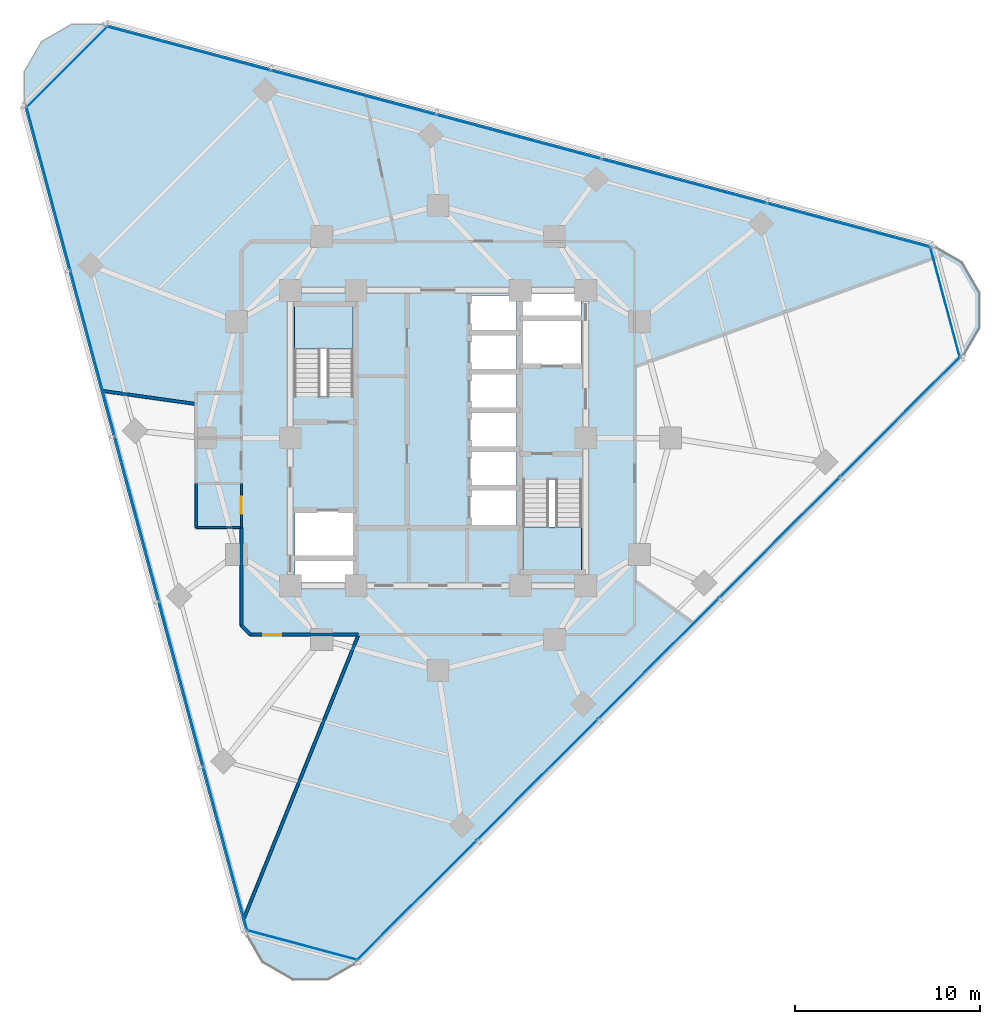
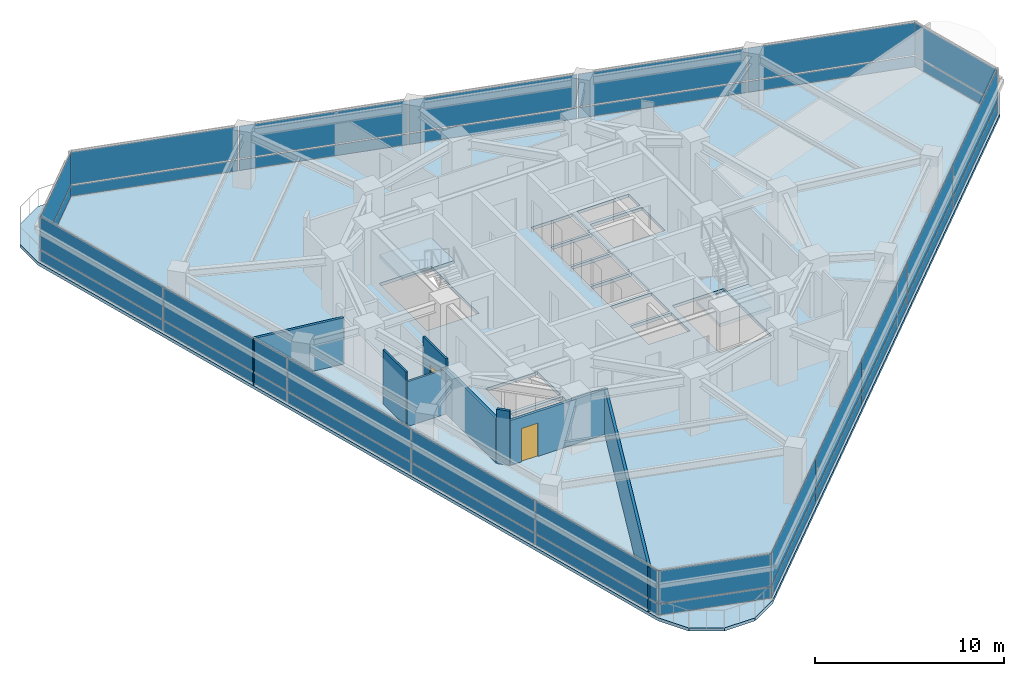
# One storey, part 6 of 13: 36 plates, 8 walls, 3 slabs, 2 doors, 2 openings, 8 elements without a shape of their own.
"""IFC4 building model written with IfcOpenShell, lengths in metres."""

from ifc_helpers import new_model, si_unit, direction, frame, frame_2d, origin, origin_2d, place, context, subcontext, project, spatial, polyline, rectangle, outline, extrude, material, layer, layer_set, type_object, element, fill, aggregate, save


model = new_model("IFC4")

# Units and contexts
model_context = context("Model", 3, precision=1e-05, world=origin(), true_north=direction((0.0, 1.0)))
body_context = subcontext(model_context, "Body", "Model", "MODEL_VIEW")
ifc_project = project(units=[si_unit("LENGTHUNIT", "METRE"), si_unit("AREAUNIT", "SQUARE_METRE"), si_unit("VOLUMEUNIT", "CUBIC_METRE"), si_unit("PLANEANGLEUNIT", "RADIAN"), si_unit("MASSUNIT", "GRAM", prefix="KILO")], contexts=[model_context])

# Site, building, storey
site_placement = place(None, origin())
site = spatial("IfcSite", under=ifc_project, at=site_placement, CompositionType="ELEMENT")
building_placement = place(site_placement, origin())
building = spatial("IfcBuilding", under=site, at=building_placement, Name="Terralouvre Media Tower", CompositionType="ELEMENT")
storey_placement = place(building_placement, frame((0.0, 0.0, 199.0)))
storey = spatial("IfcBuildingStorey", under=building, at=storey_placement, Name="L51", CompositionType="ELEMENT", Elevation=199.0)

# Slab
ifc_material_1 = material(Name="Concrete C40/50", Category="concrete")
ifc_layer_1 = layer(ifc_material_1, 0.199951171875, Name="Composite Tower Floor Slab S-TYP200")
ifc_layer_set_1 = layer_set([ifc_layer_1], Name="Concrete C40/50")
slab_type_1 = type_object("IfcSlabType", Name="Composite Tower Floor Slab S-TYP200", PredefinedType="FLOOR", material=ifc_layer_set_1)
slab_1_placement = place(storey_placement, frame((0.0, 0.0, -0.199951171875), z_axis=(0.0, 0.0, 1.0), x_axis=(0.707106781187, 0.707106781187, 0.0)))
element("IfcSlab", 1, at=slab_1_placement, inside=storey, type_object=slab_type_1, Name="L51 Structural Floor Slab", PredefinedType="FLOOR", context=body_context, shape_type="SweptSolid", body=[
    extrude(outline(polyline([(-26.31494140625, -11.572998046875), (-26.800048828125, -13.383056640625), (-26.31494140625, -15.19287109375), (-24.989990234375, -16.51806640625), (-23.179931640625, -17.0029296875), (23.179931640625, -17.0029296875), (24.989990234375, -16.51806640625), (26.31494140625, -15.19287109375), (26.800048828125, -13.383056640625), (26.31494140625, -11.572998046875), (3.135009765625, 28.575927734375), (1.81005859375, 29.90087890625), (0.0, 30.385986328125), (-1.81005859375, 29.90087890625), (-3.135009765625, 28.575927734375), (-26.31494140625, -11.572998046875)]), holes=[polyline([(-7.919677734375, -1.414306640625), (-8.76806640625, -2.2626953125), (-10.99560546875, -0.035400390625), (-10.14697265625, 0.813232421875), (-7.919677734375, -1.414306640625)]), polyline([(-7.778076171875, -1.272705078125), (-10.005615234375, 0.95458984375), (-8.273193359375, 2.68701171875), (-6.045654296875, 0.459716796875), (-7.778076171875, -1.272705078125)]), polyline([(4.122314453125, -1.887939453125), (2.354736328125, -0.1201171875), (3.7265625, 1.25146484375), (5.494140625, -0.51611328125), (4.122314453125, -1.887939453125)]), polyline([(6.979248046875, 0.96875), (5.607421875, -0.403076171875), (3.839599609375, 1.36474609375), (5.21142578125, 2.736572265625), (6.979248046875, 0.96875)]), polyline([(-1.665283203125, 4.840087890625), (-3.913818359375, 7.0888671875), (-0.36767578125, 10.634765625), (1.880859375, 8.38623046875), (-1.665283203125, 4.840087890625)]), polyline([(7.09228515625, 1.081787109375), (5.324462890625, 2.849609375), (6.6962890625, 4.221435546875), (8.464111328125, 2.45361328125), (7.09228515625, 1.081787109375)]), polyline([(-1.880859375, -8.38623046875), (1.665283203125, -4.840087890625), (3.913818359375, -7.0888671875), (0.36767578125, -10.634765625), (-1.880859375, -8.38623046875)]), polyline([(-0.332275390625, -6.3427734375), (-2.10009765625, -4.574951171875), (-0.728271484375, -3.203125), (1.03955078125, -4.970947265625), (-0.332275390625, -6.3427734375)]), polyline([(1.152587890625, -4.85791015625), (-0.615234375, -3.090087890625), (0.756591796875, -1.71826171875), (2.5244140625, -3.486083984375), (1.152587890625, -4.85791015625)]), polyline([(4.00927734375, -2.001220703125), (2.637451171875, -3.372802734375), (0.86962890625, -1.605224609375), (2.241455078125, -0.2333984375), (4.00927734375, -2.001220703125)]), polyline([(8.273193359375, -2.68701171875), (6.045654296875, -0.459716796875), (7.778076171875, 1.272705078125), (10.005615234375, -0.95458984375), (8.273193359375, -2.68701171875)]), polyline([(10.14697265625, -0.813232421875), (7.919677734375, 1.414306640625), (8.76806640625, 2.2626953125), (10.99560546875, 0.035400390625), (10.14697265625, -0.813232421875)])]), origin(), (0.0, 0.0, 1.0), 0.199951171875),
])

# Stair, slab
ifc_material_2 = material(Name="Concrete C45/55", Category="concrete")
stair_type_1 = type_object("IfcStairType", Name="Dogleg Stair Assembly ST-01", PredefinedType="HALF_TURN_STAIR", material=ifc_material_2)
stair_1_placement = place(storey_placement, origin())
stair_1 = element("IfcStair", 2, at=stair_1_placement, inside=storey, type_object=stair_type_1, Name="L51 Core Pressurised Exit Stair ST-01", PredefinedType="HALF_TURN_STAIR")
ifc_material_3 = material(Name="Concrete C45/55", Category="concrete")
ifc_layer_2 = layer(ifc_material_3, 0.199951171875, Name="Reinforced Concrete Stair Half-Landing SL-LD1")
ifc_layer_set_2 = layer_set([ifc_layer_2], Name="Concrete C45/55")
slab_type_2 = type_object("IfcSlabType", Name="Reinforced Concrete Stair Half-Landing SL-LD1", PredefinedType="LANDING", material=ifc_layer_set_2)
slab_2_placement = place(storey_placement, frame((0.0, 0.0, 1.64990234375)))
slab_2 = element("IfcSlab", 3, at=slab_2_placement, type_object=slab_type_2, Name="ST-01 landing 1", PredefinedType="LANDING", context=body_context, shape_type="SweptSolid", body=[
    extrude(outline(polyline([(-4.60009765625, 4.820068359375), (-4.60009765625, 7.260009765625), (-7.780029296875, 7.260009765625), (-7.780029296875, 4.820068359375), (-4.60009765625, 4.820068359375)])), origin(), (0.0, 0.0, 1.0), 0.2001953125),
])
aggregate(stair_1, [slab_2])

ifc_material_4 = material(Name="Concrete C45/55", Category="concrete")
stair_type_2 = type_object("IfcStairType", Name="Dogleg Stair Assembly ST-02", PredefinedType="HALF_TURN_STAIR", material=ifc_material_4)
stair_2_placement = place(storey_placement, origin())
stair_2 = element("IfcStair", 4, at=stair_2_placement, inside=storey, type_object=stair_type_2, Name="L51 Core Pressurised Exit Stair ST-02", PredefinedType="HALF_TURN_STAIR")
slab_3_placement = place(storey_placement, frame((0.0, 0.0, 1.64990234375)))
slab_3 = element("IfcSlab", 5, at=slab_3_placement, type_object=slab_type_2, Name="ST-02 landing 1", PredefinedType="LANDING", context=body_context, shape_type="SweptSolid", body=[
    extrude(outline(polyline([(4.60009765625, -4.820068359375), (4.60009765625, -7.260009765625), (7.780029296875, -7.260009765625), (7.780029296875, -4.820068359375), (4.60009765625, -4.820068359375)])), origin(), (0.0, 0.0, 1.0), 0.2001953125),
])
aggregate(stair_2, [slab_3])

# Curtain wall, plates
ifc_material_5 = material(Name="Low-iron laminated double glazing with solar-control coating", Category="glass")
ifc_layer_3 = layer(ifc_material_5, 0.1650390625, Name="Rounded Wind-Corner Curved Glazing CW-04")
ifc_layer_set_3 = layer_set([ifc_layer_3], Name="Low-iron laminated double glazing with solar-control coating")
curtain_wall_type_1 = type_object("IfcCurtainWallType", Name="Rounded Wind-Corner Curved Glazing CW-04", PredefinedType="NOTDEFINED", material=ifc_layer_set_3)
curtain_wall_1_placement = place(storey_placement, origin())
curtain_wall_1 = element("IfcCurtainWall", 6, at=curtain_wall_1_placement, inside=storey, type_object=curtain_wall_type_1, Name="L51 Rounded Wind-Corner Curtain Wall C0", PredefinedType="NOTDEFINED")
ifc_material_6 = material(Name="Low-iron laminated double glazing with solar-control coating", Category="glass")
ifc_layer_4 = layer(ifc_material_6, 0.0400390625, Name="Rounded Corner Laminated Vision Panel CWP-03")
ifc_layer_set_4 = layer_set([ifc_layer_4], Name="Low-iron laminated double glazing with solar-control coating")
plate_type_1 = type_object("IfcPlateType", Name="Rounded Corner Laminated Vision Panel CWP-03", PredefinedType="CURTAIN_PANEL", material=ifc_layer_set_4)
plate_1_placement = place(storey_placement, frame((-7.35986328125, -27.467041015625, 0.074951171875), z_axis=(0.0, 0.0, 1.0), x_axis=(0.965925911218, -0.258818728144, 0.0)))
plate_1 = element("IfcPlate", 7, at=plate_1_placement, type_object=plate_type_1, Name="CW-04 panel 1.1", PredefinedType="CURTAIN_PANEL", context=body_context, shape_type="SweptSolid", body=[
    extrude(rectangle(XDim=6.1201171875, YDim=0.035888671875, at=origin_2d()), origin(), (0.0, 0.0, 1.0), 0.6875),
])
plate_2_placement = place(storey_placement, frame((-7.35986328125, -27.467041015625, 0.837646484375), z_axis=(0.0, 0.0, 1.0), x_axis=(0.965925911218, -0.258818728144, 0.0)))
plate_2 = element("IfcPlate", 8, at=plate_2_placement, type_object=plate_type_1, Name="CW-04 panel 1.2", PredefinedType="CURTAIN_PANEL", context=body_context, shape_type="SweptSolid", body=[
    extrude(rectangle(XDim=6.1201171875, YDim=0.035888671875, at=origin_2d()), origin(), (0.0, 0.0, 1.0), 2.08740234375),
])
aggregate(curtain_wall_1, [plate_1, plate_2])

curtain_wall_2_placement = place(storey_placement, origin())
curtain_wall_2 = element("IfcCurtainWall", 9, at=curtain_wall_2_placement, inside=storey, type_object=curtain_wall_type_1, Name="L51 Rounded Wind-Corner Curtain Wall C1", PredefinedType="NOTDEFINED")
plate_3_placement = place(storey_placement, frame((27.467041015625, 7.35986328125, 0.074951171875), z_axis=(0.0, 0.0, 1.0), x_axis=(-0.258818728144, 0.965925911218, 0.0)))
plate_3 = element("IfcPlate", 10, at=plate_3_placement, type_object=plate_type_1, Name="CW-04 panel 1.1", PredefinedType="CURTAIN_PANEL", context=body_context, shape_type="SweptSolid", body=[
    extrude(rectangle(XDim=6.1201171875, YDim=0.035888671875, at=origin_2d()), origin(), (0.0, 0.0, 1.0), 0.6875),
])
plate_4_placement = place(storey_placement, frame((27.467041015625, 7.35986328125, 0.837646484375), z_axis=(0.0, 0.0, 1.0), x_axis=(-0.258818728144, 0.965925911218, 0.0)))
plate_4 = element("IfcPlate", 11, at=plate_4_placement, type_object=plate_type_1, Name="CW-04 panel 1.2", PredefinedType="CURTAIN_PANEL", context=body_context, shape_type="SweptSolid", body=[
    extrude(rectangle(XDim=6.1201171875, YDim=0.035888671875, at=origin_2d()), origin(), (0.0, 0.0, 1.0), 2.08740234375),
])
aggregate(curtain_wall_2, [plate_3, plate_4])

curtain_wall_3_placement = place(storey_placement, origin())
curtain_wall_3 = element("IfcCurtainWall", 12, at=curtain_wall_3_placement, inside=storey, type_object=curtain_wall_type_1, Name="L51 Rounded Wind-Corner Curtain Wall C2", PredefinedType="NOTDEFINED")
plate_5_placement = place(storey_placement, frame((-20.107177734375, 20.107177734375, 0.074951171875), z_axis=(0.0, 0.0, 1.0), x_axis=(-0.707106781187, -0.707106781187, 0.0)))
plate_5 = element("IfcPlate", 13, at=plate_5_placement, type_object=plate_type_1, Name="CW-04 panel 1.1", PredefinedType="CURTAIN_PANEL", context=body_context, shape_type="SweptSolid", body=[
    extrude(rectangle(XDim=6.1201171875, YDim=0.035888671875, at=origin_2d()), origin(), (0.0, 0.0, 1.0), 0.6875),
])
plate_6_placement = place(storey_placement, frame((-20.107177734375, 20.107177734375, 0.837646484375), z_axis=(0.0, 0.0, 1.0), x_axis=(-0.707106781187, -0.707106781187, 0.0)))
plate_6 = element("IfcPlate", 14, at=plate_6_placement, type_object=plate_type_1, Name="CW-04 panel 1.2", PredefinedType="CURTAIN_PANEL", context=body_context, shape_type="SweptSolid", body=[
    extrude(rectangle(XDim=6.1201171875, YDim=0.035888671875, at=origin_2d()), origin(), (0.0, 0.0, 1.0), 2.08740234375),
])
aggregate(curtain_wall_3, [plate_5, plate_6])

ifc_material_7 = material(Name="Low-iron laminated double glazing with solar-control coating", Category="glass")
ifc_layer_5 = layer(ifc_material_7, 0.1650390625, Name="Production Studio Tower Curtain Wall CW-03")
ifc_layer_set_5 = layer_set([ifc_layer_5], Name="Low-iron laminated double glazing with solar-control coating")
curtain_wall_type_2 = type_object("IfcCurtainWallType", Name="Production Studio Tower Curtain Wall CW-03", PredefinedType="NOTDEFINED", material=ifc_layer_set_5)
curtain_wall_4_placement = place(storey_placement, origin())
curtain_wall_4 = element("IfcCurtainWall", 15, at=curtain_wall_4_placement, inside=storey, type_object=curtain_wall_type_2, Name="L51 Facade Curtain Wall F0", PredefinedType="NOTDEFINED")
ifc_material_8 = material(Name="Low-iron laminated double glazing with solar-control coating", Category="glass")
ifc_layer_6 = layer(ifc_material_8, 0.035888671875, Name="Vision Double-Glazed Unit CWP-01")
ifc_layer_set_6 = layer_set([ifc_layer_6], Name="Low-iron laminated double glazing with solar-control coating")
plate_type_2 = type_object("IfcPlateType", Name="Vision Double-Glazed Unit CWP-01", PredefinedType="CURTAIN_PANEL", material=ifc_layer_set_6)
plate_7_placement = place(storey_placement, frame((-1.161376953125, -25.037353515625, 0.074951171875), z_axis=(0.0, 0.0, 1.0), x_axis=(0.707106781187, 0.707106781187, 0.0)))
plate_7 = element("IfcPlate", 16, at=plate_7_placement, type_object=plate_type_2, Name="CW-03 panel 1.1", PredefinedType="CURTAIN_PANEL", context=body_context, shape_type="SweptSolid", body=[
    extrude(rectangle(XDim=9.159423828125, YDim=0.035888671875, at=origin_2d()), origin(), (0.0, 0.0, 1.0), 0.6875),
])
plate_8_placement = place(storey_placement, frame((-1.161376953125, -25.037353515625, 0.837646484375), z_axis=(0.0, 0.0, 1.0), x_axis=(0.707106781187, 0.707106781187, 0.0)))
plate_8 = element("IfcPlate", 17, at=plate_8_placement, type_object=plate_type_2, Name="CW-03 panel 1.2", PredefinedType="CURTAIN_PANEL", context=body_context, shape_type="SweptSolid", body=[
    extrude(rectangle(XDim=9.159423828125, YDim=0.035888671875, at=origin_2d()), origin(), (0.0, 0.0, 1.0), 2.08740234375),
])
plate_9_placement = place(storey_placement, frame((5.3818359375, -18.494384765625, 0.074951171875), z_axis=(0.0, 0.0, 1.0), x_axis=(0.707106781187, 0.707106781187, 0.0)))
plate_9 = element("IfcPlate", 18, at=plate_9_placement, type_object=plate_type_2, Name="CW-03 panel 2.1", PredefinedType="CURTAIN_PANEL", context=body_context, shape_type="SweptSolid", body=[
    extrude(rectangle(XDim=9.197021484375, YDim=0.035888671875, at=origin_2d()), origin(), (0.0, 0.0, 1.0), 0.6875),
])
plate_10_placement = place(storey_placement, frame((5.3818359375, -18.494384765625, 0.837646484375), z_axis=(0.0, 0.0, 1.0), x_axis=(0.707106781187, 0.707106781187, 0.0)))
plate_10 = element("IfcPlate", 19, at=plate_10_placement, type_object=plate_type_2, Name="CW-03 panel 2.2", PredefinedType="CURTAIN_PANEL", context=body_context, shape_type="SweptSolid", body=[
    extrude(rectangle(XDim=9.197021484375, YDim=0.035888671875, at=origin_2d()), origin(), (0.0, 0.0, 1.0), 2.08740234375),
])
plate_11_placement = place(storey_placement, frame((11.93798828125, -11.93798828125, 0.074951171875), z_axis=(0.0, 0.0, 1.0), x_axis=(0.707106781187, 0.707106781187, 0.0)))
plate_11 = element("IfcPlate", 20, at=plate_11_placement, type_object=plate_type_2, Name="CW-03 panel 3.1", PredefinedType="CURTAIN_PANEL", context=body_context, shape_type="SweptSolid", body=[
    extrude(rectangle(XDim=9.197021484375, YDim=0.035888671875, at=origin_2d()), origin(), (0.0, 0.0, 1.0), 0.6875),
])
plate_12_placement = place(storey_placement, frame((11.93798828125, -11.93798828125, 0.837646484375), z_axis=(0.0, 0.0, 1.0), x_axis=(0.707106781187, 0.707106781187, 0.0)))
plate_12 = element("IfcPlate", 21, at=plate_12_placement, type_object=plate_type_2, Name="CW-03 panel 3.2", PredefinedType="CURTAIN_PANEL", context=body_context, shape_type="SweptSolid", body=[
    extrude(rectangle(XDim=9.197021484375, YDim=0.035888671875, at=origin_2d()), origin(), (0.0, 0.0, 1.0), 2.08740234375),
])
plate_13_placement = place(storey_placement, frame((18.494384765625, -5.3818359375, 0.074951171875), z_axis=(0.0, 0.0, 1.0), x_axis=(0.707106781187, 0.707106781187, 0.0)))
plate_13 = element("IfcPlate", 22, at=plate_13_placement, type_object=plate_type_2, Name="CW-03 panel 4.1", PredefinedType="CURTAIN_PANEL", context=body_context, shape_type="SweptSolid", body=[
    extrude(rectangle(XDim=9.197021484375, YDim=0.035888671875, at=origin_2d()), origin(), (0.0, 0.0, 1.0), 0.6875),
])
plate_14_placement = place(storey_placement, frame((18.494384765625, -5.3818359375, 0.837646484375), z_axis=(0.0, 0.0, 1.0), x_axis=(0.707106781187, 0.707106781187, 0.0)))
plate_14 = element("IfcPlate", 23, at=plate_14_placement, type_object=plate_type_2, Name="CW-03 panel 4.2", PredefinedType="CURTAIN_PANEL", context=body_context, shape_type="SweptSolid", body=[
    extrude(rectangle(XDim=9.197021484375, YDim=0.035888671875, at=origin_2d()), origin(), (0.0, 0.0, 1.0), 2.08740234375),
])
plate_15_placement = place(storey_placement, frame((25.037353515625, 1.161376953125, 0.074951171875), z_axis=(0.0, 0.0, 1.0), x_axis=(0.707106781187, 0.707106781187, 0.0)))
plate_15 = element("IfcPlate", 24, at=plate_15_placement, type_object=plate_type_2, Name="CW-03 panel 5.1", PredefinedType="CURTAIN_PANEL", context=body_context, shape_type="SweptSolid", body=[
    extrude(rectangle(XDim=9.159423828125, YDim=0.035888671875, at=origin_2d()), origin(), (0.0, 0.0, 1.0), 0.6875),
])
plate_16_placement = place(storey_placement, frame((25.037353515625, 1.161376953125, 0.837646484375), z_axis=(0.0, 0.0, 1.0), x_axis=(0.707106781187, 0.707106781187, 0.0)))
plate_16 = element("IfcPlate", 25, at=plate_16_placement, type_object=plate_type_2, Name="CW-03 panel 5.2", PredefinedType="CURTAIN_PANEL", context=body_context, shape_type="SweptSolid", body=[
    extrude(rectangle(XDim=9.159423828125, YDim=0.035888671875, at=origin_2d()), origin(), (0.0, 0.0, 1.0), 2.08740234375),
])
aggregate(curtain_wall_4, [plate_7, plate_8, plate_9, plate_10, plate_11, plate_12, plate_13, plate_14, plate_15, plate_16])

curtain_wall_5_placement = place(storey_placement, origin())
curtain_wall_5 = element("IfcCurtainWall", 26, at=curtain_wall_5_placement, inside=storey, type_object=curtain_wall_type_2, Name="L51 Facade Curtain Wall F1", PredefinedType="NOTDEFINED")
plate_17_placement = place(storey_placement, frame((22.263671875, 11.512939453125, 0.074951171875), z_axis=(0.0, 0.0, 1.0), x_axis=(-0.96592582942, 0.25881903342, 0.0)))
plate_17 = element("IfcPlate", 27, at=plate_17_placement, type_object=plate_type_2, Name="CW-03 panel 1.1", PredefinedType="CURTAIN_PANEL", context=body_context, shape_type="SweptSolid", body=[
    extrude(rectangle(XDim=9.159423828125, YDim=0.035888671875, at=origin_2d()), origin(), (0.0, 0.0, 1.0), 0.6875),
])
plate_18_placement = place(storey_placement, frame((22.263671875, 11.512939453125, 0.837646484375), z_axis=(0.0, 0.0, 1.0), x_axis=(-0.96592582942, 0.25881903342, 0.0)))
plate_18 = element("IfcPlate", 28, at=plate_18_placement, type_object=plate_type_2, Name="CW-03 panel 1.2", PredefinedType="CURTAIN_PANEL", context=body_context, shape_type="SweptSolid", body=[
    extrude(rectangle(XDim=9.159423828125, YDim=0.035888671875, at=origin_2d()), origin(), (0.0, 0.0, 1.0), 2.08740234375),
])
plate_19_placement = place(storey_placement, frame((13.32568359375, 13.907958984375, 0.074951171875), z_axis=(0.0, 0.0, 1.0), x_axis=(-0.96592582942, 0.25881903342, 0.0)))
plate_19 = element("IfcPlate", 29, at=plate_19_placement, type_object=plate_type_2, Name="CW-03 panel 2.1", PredefinedType="CURTAIN_PANEL", context=body_context, shape_type="SweptSolid", body=[
    extrude(rectangle(XDim=9.197021484375, YDim=0.035888671875, at=origin_2d()), origin(), (0.0, 0.0, 1.0), 0.6875),
])
plate_20_placement = place(storey_placement, frame((13.32568359375, 13.907958984375, 0.837646484375), z_axis=(0.0, 0.0, 1.0), x_axis=(-0.96592582942, 0.25881903342, 0.0)))
plate_20 = element("IfcPlate", 30, at=plate_20_placement, type_object=plate_type_2, Name="CW-03 panel 2.2", PredefinedType="CURTAIN_PANEL", context=body_context, shape_type="SweptSolid", body=[
    extrude(rectangle(XDim=9.197021484375, YDim=0.035888671875, at=origin_2d()), origin(), (0.0, 0.0, 1.0), 2.08740234375),
])
plate_21_placement = place(storey_placement, frame((4.36962890625, 16.3076171875, 0.074951171875), z_axis=(0.0, 0.0, 1.0), x_axis=(-0.96592582942, 0.25881903342, 0.0)))
plate_21 = element("IfcPlate", 31, at=plate_21_placement, type_object=plate_type_2, Name="CW-03 panel 3.1", PredefinedType="CURTAIN_PANEL", context=body_context, shape_type="SweptSolid", body=[
    extrude(rectangle(XDim=9.197021484375, YDim=0.035888671875, at=origin_2d()), origin(), (0.0, 0.0, 1.0), 0.6875),
])
plate_22_placement = place(storey_placement, frame((4.36962890625, 16.3076171875, 0.837646484375), z_axis=(0.0, 0.0, 1.0), x_axis=(-0.96592582942, 0.25881903342, 0.0)))
plate_22 = element("IfcPlate", 32, at=plate_22_placement, type_object=plate_type_2, Name="CW-03 panel 3.2", PredefinedType="CURTAIN_PANEL", context=body_context, shape_type="SweptSolid", body=[
    extrude(rectangle(XDim=9.197021484375, YDim=0.035888671875, at=origin_2d()), origin(), (0.0, 0.0, 1.0), 2.08740234375),
])
plate_23_placement = place(storey_placement, frame((-4.58642578125, 18.70751953125, 0.074951171875), z_axis=(0.0, 0.0, 1.0), x_axis=(-0.96592582942, 0.25881903342, 0.0)))
plate_23 = element("IfcPlate", 33, at=plate_23_placement, type_object=plate_type_2, Name="CW-03 panel 4.1", PredefinedType="CURTAIN_PANEL", context=body_context, shape_type="SweptSolid", body=[
    extrude(rectangle(XDim=9.197021484375, YDim=0.035888671875, at=origin_2d()), origin(), (0.0, 0.0, 1.0), 0.6875),
])
plate_24_placement = place(storey_placement, frame((-4.58642578125, 18.70751953125, 0.837646484375), z_axis=(0.0, 0.0, 1.0), x_axis=(-0.96592582942, 0.25881903342, 0.0)))
plate_24 = element("IfcPlate", 34, at=plate_24_placement, type_object=plate_type_2, Name="CW-03 panel 4.2", PredefinedType="CURTAIN_PANEL", context=body_context, shape_type="SweptSolid", body=[
    extrude(rectangle(XDim=9.197021484375, YDim=0.035888671875, at=origin_2d()), origin(), (0.0, 0.0, 1.0), 2.08740234375),
])
plate_25_placement = place(storey_placement, frame((-13.5244140625, 21.102294921875, 0.074951171875), z_axis=(0.0, 0.0, 1.0), x_axis=(-0.96592582942, 0.25881903342, 0.0)))
plate_25 = element("IfcPlate", 35, at=plate_25_placement, type_object=plate_type_2, Name="CW-03 panel 5.1", PredefinedType="CURTAIN_PANEL", context=body_context, shape_type="SweptSolid", body=[
    extrude(rectangle(XDim=9.159423828125, YDim=0.035888671875, at=origin_2d()), origin(), (0.0, 0.0, 1.0), 0.6875),
])
plate_26_placement = place(storey_placement, frame((-13.5244140625, 21.102294921875, 0.837646484375), z_axis=(0.0, 0.0, 1.0), x_axis=(-0.96592582942, 0.25881903342, 0.0)))
plate_26 = element("IfcPlate", 36, at=plate_26_placement, type_object=plate_type_2, Name="CW-03 panel 5.2", PredefinedType="CURTAIN_PANEL", context=body_context, shape_type="SweptSolid", body=[
    extrude(rectangle(XDim=9.159423828125, YDim=0.035888671875, at=origin_2d()), origin(), (0.0, 0.0, 1.0), 2.08740234375),
])
aggregate(curtain_wall_5, [plate_17, plate_18, plate_19, plate_20, plate_21, plate_22, plate_23, plate_24, plate_25, plate_26])

curtain_wall_6_placement = place(storey_placement, origin())
curtain_wall_6 = element("IfcCurtainWall", 37, at=curtain_wall_6_placement, inside=storey, type_object=curtain_wall_type_2, Name="L51 Facade Curtain Wall F2", PredefinedType="NOTDEFINED")
plate_27_placement = place(storey_placement, frame((-21.102294921875, 13.5244140625, 0.074951171875), z_axis=(0.0, 0.0, 1.0), x_axis=(0.25881903342, -0.96592582942, 0.0)))
plate_27 = element("IfcPlate", 38, at=plate_27_placement, type_object=plate_type_2, Name="CW-03 panel 1.1", PredefinedType="CURTAIN_PANEL", context=body_context, shape_type="SweptSolid", body=[
    extrude(rectangle(XDim=9.159423828125, YDim=0.035888671875, at=origin_2d()), origin(), (0.0, 0.0, 1.0), 0.6875),
])
plate_28_placement = place(storey_placement, frame((-21.102294921875, 13.5244140625, 0.837646484375), z_axis=(0.0, 0.0, 1.0), x_axis=(0.25881903342, -0.96592582942, 0.0)))
plate_28 = element("IfcPlate", 39, at=plate_28_placement, type_object=plate_type_2, Name="CW-03 panel 1.2", PredefinedType="CURTAIN_PANEL", context=body_context, shape_type="SweptSolid", body=[
    extrude(rectangle(XDim=9.159423828125, YDim=0.035888671875, at=origin_2d()), origin(), (0.0, 0.0, 1.0), 2.08740234375),
])
plate_29_placement = place(storey_placement, frame((-18.70751953125, 4.58642578125, 0.074951171875), z_axis=(0.0, 0.0, 1.0), x_axis=(0.25881903342, -0.96592582942, 0.0)))
plate_29 = element("IfcPlate", 40, at=plate_29_placement, type_object=plate_type_2, Name="CW-03 panel 2.1", PredefinedType="CURTAIN_PANEL", context=body_context, shape_type="SweptSolid", body=[
    extrude(rectangle(XDim=9.197021484375, YDim=0.035888671875, at=origin_2d()), origin(), (0.0, 0.0, 1.0), 0.6875),
])
plate_30_placement = place(storey_placement, frame((-18.70751953125, 4.58642578125, 0.837646484375), z_axis=(0.0, 0.0, 1.0), x_axis=(0.25881903342, -0.96592582942, 0.0)))
plate_30 = element("IfcPlate", 41, at=plate_30_placement, type_object=plate_type_2, Name="CW-03 panel 2.2", PredefinedType="CURTAIN_PANEL", context=body_context, shape_type="SweptSolid", body=[
    extrude(rectangle(XDim=9.197021484375, YDim=0.035888671875, at=origin_2d()), origin(), (0.0, 0.0, 1.0), 2.08740234375),
])
plate_31_placement = place(storey_placement, frame((-16.3076171875, -4.36962890625, 0.074951171875), z_axis=(0.0, 0.0, 1.0), x_axis=(0.25881903342, -0.96592582942, 0.0)))
plate_31 = element("IfcPlate", 42, at=plate_31_placement, type_object=plate_type_2, Name="CW-03 panel 3.1", PredefinedType="CURTAIN_PANEL", context=body_context, shape_type="SweptSolid", body=[
    extrude(rectangle(XDim=9.197021484375, YDim=0.035888671875, at=origin_2d()), origin(), (0.0, 0.0, 1.0), 0.6875),
])
plate_32_placement = place(storey_placement, frame((-16.3076171875, -4.36962890625, 0.837646484375), z_axis=(0.0, 0.0, 1.0), x_axis=(0.25881903342, -0.96592582942, 0.0)))
plate_32 = element("IfcPlate", 43, at=plate_32_placement, type_object=plate_type_2, Name="CW-03 panel 3.2", PredefinedType="CURTAIN_PANEL", context=body_context, shape_type="SweptSolid", body=[
    extrude(rectangle(XDim=9.197021484375, YDim=0.035888671875, at=origin_2d()), origin(), (0.0, 0.0, 1.0), 2.08740234375),
])
plate_33_placement = place(storey_placement, frame((-13.907958984375, -13.32568359375, 0.074951171875), z_axis=(0.0, 0.0, 1.0), x_axis=(0.25881903342, -0.96592582942, 0.0)))
plate_33 = element("IfcPlate", 44, at=plate_33_placement, type_object=plate_type_2, Name="CW-03 panel 4.1", PredefinedType="CURTAIN_PANEL", context=body_context, shape_type="SweptSolid", body=[
    extrude(rectangle(XDim=9.197021484375, YDim=0.035888671875, at=origin_2d()), origin(), (0.0, 0.0, 1.0), 0.6875),
])
plate_34_placement = place(storey_placement, frame((-13.907958984375, -13.32568359375, 0.837646484375), z_axis=(0.0, 0.0, 1.0), x_axis=(0.25881903342, -0.96592582942, 0.0)))
plate_34 = element("IfcPlate", 45, at=plate_34_placement, type_object=plate_type_2, Name="CW-03 panel 4.2", PredefinedType="CURTAIN_PANEL", context=body_context, shape_type="SweptSolid", body=[
    extrude(rectangle(XDim=9.197021484375, YDim=0.035888671875, at=origin_2d()), origin(), (0.0, 0.0, 1.0), 2.08740234375),
])
plate_35_placement = place(storey_placement, frame((-11.512939453125, -22.263671875, 0.074951171875), z_axis=(0.0, 0.0, 1.0), x_axis=(0.25881903342, -0.96592582942, 0.0)))
plate_35 = element("IfcPlate", 46, at=plate_35_placement, type_object=plate_type_2, Name="CW-03 panel 5.1", PredefinedType="CURTAIN_PANEL", context=body_context, shape_type="SweptSolid", body=[
    extrude(rectangle(XDim=9.159423828125, YDim=0.035888671875, at=origin_2d()), origin(), (0.0, 0.0, 1.0), 0.6875),
])
plate_36_placement = place(storey_placement, frame((-11.512939453125, -22.263671875, 0.837646484375), z_axis=(0.0, 0.0, 1.0), x_axis=(0.25881903342, -0.96592582942, 0.0)))
plate_36 = element("IfcPlate", 47, at=plate_36_placement, type_object=plate_type_2, Name="CW-03 panel 5.2", PredefinedType="CURTAIN_PANEL", context=body_context, shape_type="SweptSolid", body=[
    extrude(rectangle(XDim=9.159423828125, YDim=0.035888671875, at=origin_2d()), origin(), (0.0, 0.0, 1.0), 2.08740234375),
])
aggregate(curtain_wall_6, [plate_27, plate_28, plate_29, plate_30, plate_31, plate_32, plate_33, plate_34, plate_35, plate_36])

# Wall, opening, door
ifc_material_9 = material(Name="Fire-rated gypsum board drywall partition")
ifc_layer_7 = layer(ifc_material_9, 0.114990234375, Name="Restroom and Pantry Partition PT-115")
ifc_layer_set_7 = layer_set([ifc_layer_7], Name="Fire-rated gypsum board drywall partition")
wall_type_1 = type_object("IfcWallType", Name="Restroom and Pantry Partition PT-115", PredefinedType="PARTITIONING", material=ifc_layer_set_7)
wall_1_placement = place(storey_placement, frame((-10.64990234375, -2.449951171875, 0.0), z_axis=(0.0, 0.0, 1.0), x_axis=(0.0, -1.0, 0.0)))
wall_1 = element("IfcWall", 48, at=wall_1_placement, inside=storey, type_object=wall_type_1, Name="L51 Interior Partition 002", PredefinedType="PARTITIONING", context=body_context, shape_type="SweptSolid", body=[
    extrude(rectangle(XDim=2.400146484375, YDim=0.114990234375, at=frame_2d((1.2001953125, 0.0))), origin(), (0.0, 0.0, 1.0), 3.5),
])
opening_1_placement = place(wall_1_placement, frame((0.739990234375, 0.0, 0.0)))
opening_1 = element("IfcOpeningElement", 49, at=opening_1_placement, cuts=wall_1, Name="Opening ID-03-92X210", PredefinedType="OPENING", context=body_context, shape_type="SweptSolid", body=[
    extrude(rectangle(XDim=0.919921875, YDim=2.10009765625, at=frame_2d((0.4599609375, 1.050048828125))), frame((0.0, 0.0673828125, 0.0), z_axis=(0.0, -1.0, 0.0), x_axis=(1.0, 0.0, 0.0)), (0.0, 0.0, 1.0), 0.135009765625),
])
ifc_material_10 = material(Name="Engineered hardwood acoustic timber leaf", Category="wood")
door_type_1 = type_object("IfcDoorType", Name="Accessible Restroom and Suite Door ID-03 (920x2100)", OperationType="NOTDEFINED", PredefinedType="DOOR", material=ifc_material_10)
door_1_placement = place(opening_1_placement, origin())
door_1 = element("IfcDoor", 50, at=door_1_placement, inside=storey, type_object=door_type_1, Name="L51 Male Restroom WC Door", OperationType="SINGLE_SWING_LEFT", OverallHeight=2.10009765625, OverallWidth=0.919921875, PredefinedType="DOOR", context=body_context, shape_type="SweptSolid", body=[
    extrude(rectangle(XDim=0.919921875, YDim=2.10009765625, at=frame_2d((0.4599609375, 1.050048828125))), frame((0.0, 0.02490234375, 0.0), z_axis=(0.0, -1.0, 0.0), x_axis=(1.0, 0.0, 0.0)), (0.0, 0.0, 1.0), 0.050048828125),
])
fill(opening_1, door_1)

# Walls
wall_2_placement = place(storey_placement, frame((-13.10009765625, -2.449951171875, 0.0), z_axis=(0.0, 0.0, 1.0), x_axis=(0.0, -1.0, 0.0)))
element("IfcWall", 51, at=wall_2_placement, inside=storey, type_object=wall_type_1, Name="L51 Interior Partition 020", PredefinedType="PARTITIONING", context=body_context, shape_type="SweptSolid", body=[
    extrude(rectangle(XDim=2.400146484375, YDim=0.114990234375, at=frame_2d((1.2001953125, 0.0))), origin(), (0.0, 0.0, 1.0), 3.5),
])
wall_3_placement = place(storey_placement, frame((-13.10009765625, -4.85009765625, 0.0), z_axis=(0.0, 0.0, 1.0), x_axis=(1.0, 0.0, 0.0)))
element("IfcWall", 52, at=wall_3_placement, inside=storey, type_object=wall_type_1, Name="L51 Interior Partition 021", PredefinedType="PARTITIONING", context=body_context, shape_type="SweptSolid", body=[
    extrude(rectangle(XDim=2.4501953125, YDim=0.114990234375, at=frame_2d((1.22509765625, 0.0))), origin(), (0.0, 0.0, 1.0), 2.885009765625),
])
ifc_material_11 = material(Name="Fire-rated gypsum board drywall partition")
ifc_layer_8 = layer(ifc_material_11, 0.159912109375, Name="Studio Acoustic Rated Partition PT-160")
ifc_layer_set_8 = layer_set([ifc_layer_8], Name="Fire-rated gypsum board drywall partition")
wall_type_2 = type_object("IfcWallType", Name="Studio Acoustic Rated Partition PT-160", PredefinedType="PARTITIONING", material=ifc_layer_set_8)
wall_4_placement = place(storey_placement, frame((-10.64990234375, -4.85009765625, 0.0), z_axis=(0.0, 0.0, 1.0), x_axis=(0.0, -1.0, 0.0)))
element("IfcWall", 53, at=wall_4_placement, inside=storey, type_object=wall_type_2, Name="L51 Interior Partition 003", PredefinedType="PARTITIONING", context=body_context, shape_type="SweptSolid", body=[
    extrude(rectangle(XDim=5.2998046875, YDim=0.159912109375, at=frame_2d((2.64990234375, 0.0))), origin(), (0.0, 0.0, 1.0), 2.885009765625),
])
wall_5_placement = place(storey_placement, frame((-10.64990234375, -10.14990234375, 0.0), z_axis=(0.0, 0.0, 1.0), x_axis=(0.707106781187, -0.707106781187, 0.0)))
element("IfcWall", 54, at=wall_5_placement, inside=storey, type_object=wall_type_2, Name="L51 Interior Partition 004", PredefinedType="PARTITIONING", context=body_context, shape_type="SweptSolid", body=[
    extrude(rectangle(XDim=0.70703125, YDim=0.159912109375, at=frame_2d((0.353515625, 0.0))), origin(), (0.0, 0.0, 1.0), 3.5),
])

# Wall, opening, door
wall_6_placement = place(storey_placement, frame((-10.14990234375, -10.64990234375, 0.0), z_axis=(0.0, 0.0, 1.0), x_axis=(1.0, 0.0, 0.0)))
wall_6 = element("IfcWall", 55, at=wall_6_placement, inside=storey, type_object=wall_type_2, Name="L51 Interior Partition 005", PredefinedType="PARTITIONING", context=body_context, shape_type="SweptSolid", body=[
    extrude(rectangle(XDim=5.846923828125, YDim=0.159912109375, at=frame_2d((2.92333984375, 0.0))), origin(), (0.0, 0.0, 1.0), 2.885009765625),
])
opening_2_placement = place(wall_6_placement, frame((0.66943359375, 0.0, 0.0)))
opening_2 = element("IfcOpeningElement", 56, at=opening_2_placement, cuts=wall_6, Name="Opening ID-01-100X215", PredefinedType="OPENING", context=body_context, shape_type="SweptSolid", body=[
    extrude(rectangle(XDim=1.0, YDim=2.14990234375, at=frame_2d((0.5, 1.074951171875))), frame((0.0, 0.08984375, 0.0), z_axis=(0.0, -1.0, 0.0), x_axis=(1.0, 0.0, 0.0)), (0.0, 0.0, 1.0), 0.179931640625),
])
ifc_material_12 = material(Name="Engineered hardwood acoustic timber leaf", Category="wood")
door_type_2 = type_object("IfcDoorType", Name="Broadcast Studio Acoustic Single Door ID-01 (1000x2150)", OperationType="NOTDEFINED", PredefinedType="DOOR", material=ifc_material_12)
door_2_placement = place(opening_2_placement, origin())
door_2 = element("IfcDoor", 57, at=door_2_placement, inside=storey, type_object=door_type_2, Name="L51 Simultaneous Translation Control Room 1 Door", OperationType="SINGLE_SWING_RIGHT", OverallHeight=2.14990234375, OverallWidth=1.0, PredefinedType="DOOR", context=body_context, shape_type="SweptSolid", body=[
    extrude(rectangle(XDim=1.0, YDim=2.14990234375, at=frame_2d((0.5, 1.074951171875))), frame((0.0, 0.02490234375, 0.0), z_axis=(0.0, -1.0, 0.0), x_axis=(1.0, 0.0, 0.0)), (0.0, 0.0, 1.0), 0.050048828125),
])
fill(opening_2, door_2)

# Walls
wall_7_placement = place(storey_placement, frame((-10.53369140625, -26.072509765625, 0.0), z_axis=(0.0, 0.0, 1.0), x_axis=(0.374584629334, 0.927192728329, 0.0)))
element("IfcWall", 58, at=wall_7_placement, inside=storey, type_object=wall_type_2, Name="L51 Interior Partition 022", PredefinedType="PARTITIONING", context=body_context, shape_type="SweptSolid", body=[
    extrude(rectangle(XDim=16.633544921875, YDim=0.159912109375, at=frame_2d((8.31689453125, 0.0))), origin(), (0.0, 0.0, 1.0), 2.885009765625),
])
wall_8_placement = place(storey_placement, frame((-13.10009765625, 1.841064453125, 0.0), z_axis=(0.0, 0.0, 1.0), x_axis=(-0.990254946284, 0.139266440179, 0.0)))
element("IfcWall", 59, at=wall_8_placement, inside=storey, type_object=wall_type_2, Name="L51 Interior Partition 023", PredefinedType="PARTITIONING", context=body_context, shape_type="SweptSolid", body=[
    extrude(rectangle(XDim=5.15576171875, YDim=0.159912109375, at=frame_2d((2.577880859375, 0.0))), origin(), (0.0, 0.0, 1.0), 2.985107421875),
])

save(model, "model.ifc")
